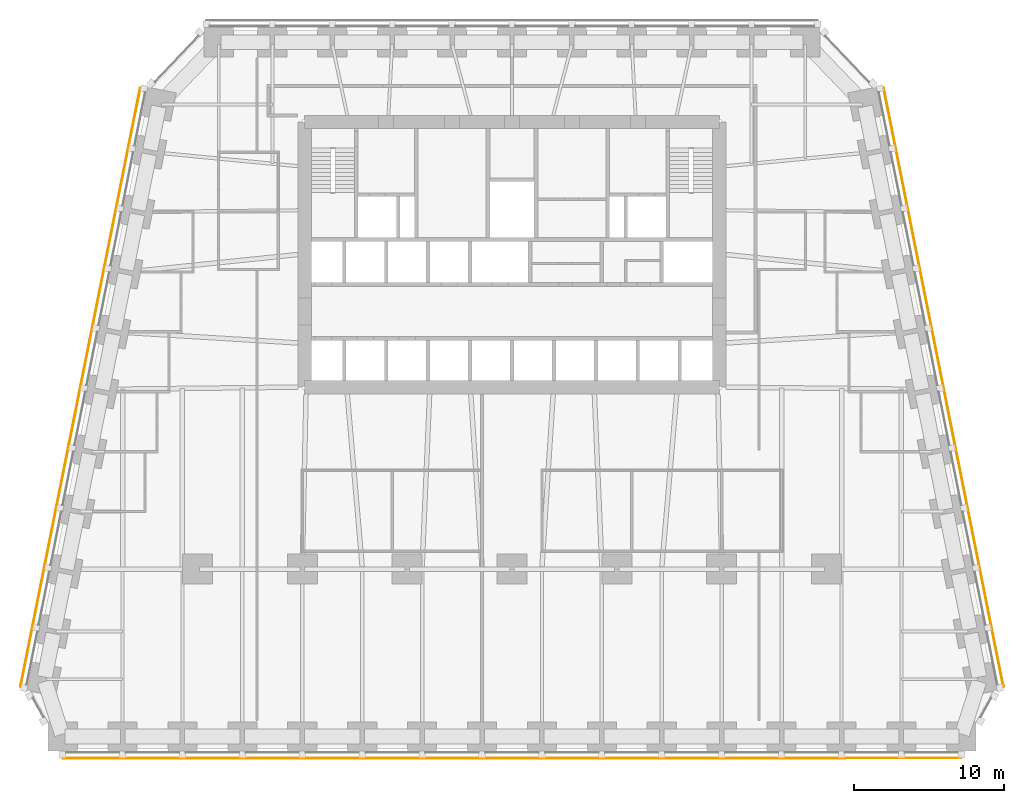
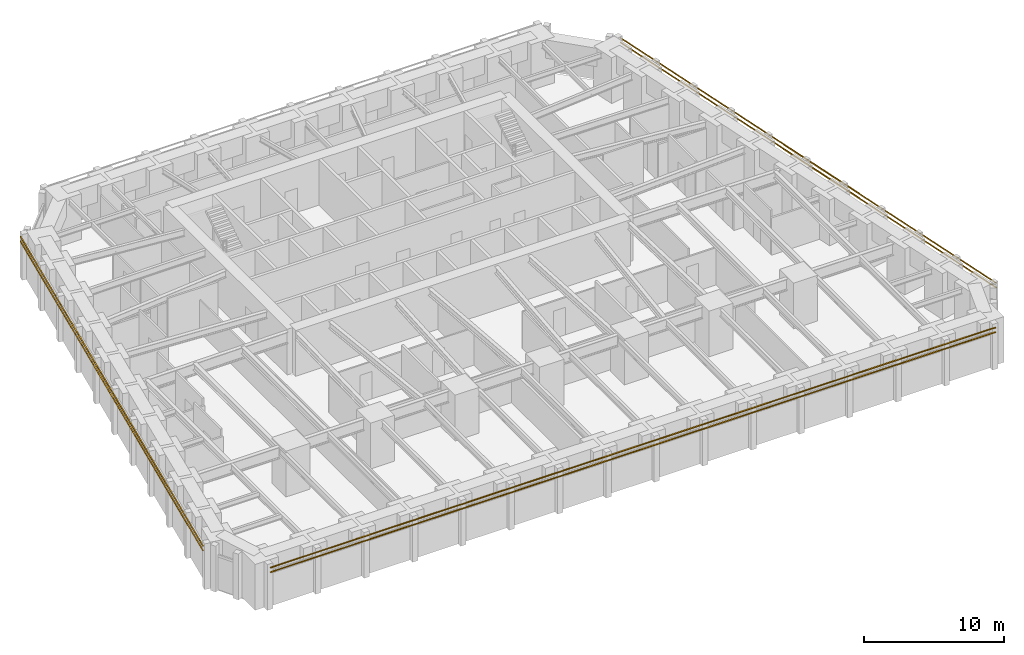
# One storey, part 9 of 10: 6 shading devices.
"""IFC4 building model written with IfcOpenShell, lengths in metres."""

from ifc_helpers import new_model, si_unit, direction, frame, origin, origin_2d, place, context, subcontext, project, spatial, rectangle, extrude, material, material_profile, profile_set, type_object, element, save


model = new_model("IFC4")

# Units and contexts
model_context = context("Model", 3, precision=1e-05, world=origin(), true_north=direction((0.0, 1.0)))
body_context = subcontext(model_context, "Body", "Model", "MODEL_VIEW")
ifc_project = project(units=[si_unit("LENGTHUNIT", "METRE"), si_unit("AREAUNIT", "SQUARE_METRE"), si_unit("VOLUMEUNIT", "CUBIC_METRE"), si_unit("PLANEANGLEUNIT", "RADIAN"), si_unit("MASSUNIT", "GRAM", prefix="KILO")], contexts=[model_context])

# Site, building, storey
site_placement = place(None, origin())
site = spatial("IfcSite", under=ifc_project, at=site_placement, CompositionType="ELEMENT")
building_placement = place(site_placement, origin())
building = spatial("IfcBuilding", under=site, at=building_placement, Name="Isbrekke Arena Tower", CompositionType="ELEMENT")
storey_placement = place(building_placement, frame((0.0, 0.0, 64.0)))
storey = spatial("IfcBuildingStorey", under=building, at=storey_placement, Name="L13", CompositionType="ELEMENT", Elevation=64.0)

# Shading devices
ifc_material = material(Name="Terracotta", Category="masonry")
ifc_material_profile = material_profile(ifc_material, rectangle(XDim=0.06005859375, YDim=0.06005859375, at=origin_2d()), Name="BAGUETTE 60X60")
ifc_profile_set = profile_set([ifc_material_profile], Name="Terracotta")
shading_device_type = type_object("IfcShadingDeviceType", Name="BG1 TERRACOTTA BAGUETTE 60 x 60", PredefinedType="USERDEFINED", material=ifc_profile_set)
for number, where, z_axis, x_axis, name in (
    (1, (-30.0, -18.6298828125, 3.280029296875), (1.0, 0.0, 0.0), (0.0, 1.0, 0.0), "BG1 terracotta baguette S1 L13"),
    (2, (-30.0, -18.6298828125, 3.679931640625), (1.0, 0.0, 0.0), (0.0, 1.0, 0.0), "BG1 terracotta baguette S2 L13"),
):
    element("IfcShadingDevice", number, at=place(storey_placement, frame(where, z_axis=z_axis, x_axis=x_axis)), inside=storey, type_object=shading_device_type, Name=name, ObjectType="TERRACOTTA BAGUETTE", PredefinedType="USERDEFINED", context=body_context, shape_type="SweptSolid", body=[
        extrude(rectangle(XDim=0.06005859375, YDim=0.06005859375, at=origin_2d()), origin(), (0.0, 0.0, 1.0), 60.0),
    ])
for number, where, z_axis, x_axis, name in (
    (3, (32.81787109375, -13.87646484375, 3.280029296875), (-0.196116135138, 0.980580675691, 0.0), (-0.980580675691, -0.196116135138, 0.0), "BG1 terracotta baguette E1 L13"),
    (4, (32.81787109375, -13.87646484375, 3.679931640625), (-0.196116135138, 0.980580675691, 0.0), (-0.980580675691, -0.196116135138, 0.0), "BG1 terracotta baguette E2 L13"),
    (5, (-24.81787109375, 26.12353515625, 3.280029296875), (-0.196116135138, -0.980580675691, 0.0), (0.980580675691, -0.196116135138, 0.0), "BG1 terracotta baguette W1 L13"),
    (6, (-24.81787109375, 26.12353515625, 3.679931640625), (-0.196116135138, -0.980580675691, 0.0), (0.980580675691, -0.196116135138, 0.0), "BG1 terracotta baguette W2 L13"),
):
    element("IfcShadingDevice", number, at=place(storey_placement, frame(where, z_axis=z_axis, x_axis=x_axis)), inside=storey, type_object=shading_device_type, Name=name, ObjectType="TERRACOTTA BAGUETTE", PredefinedType="USERDEFINED", context=body_context, shape_type="SweptSolid", body=[
        extrude(rectangle(XDim=0.06005859375, YDim=0.06005859375, at=origin_2d()), origin(), (0.0, 0.0, 1.0), 40.792236328125),
    ])

save(model, "model.ifc")
